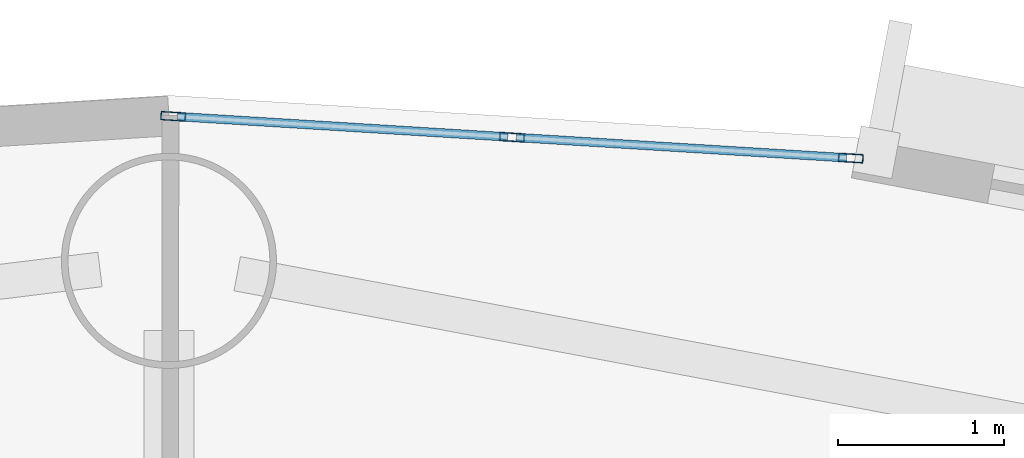
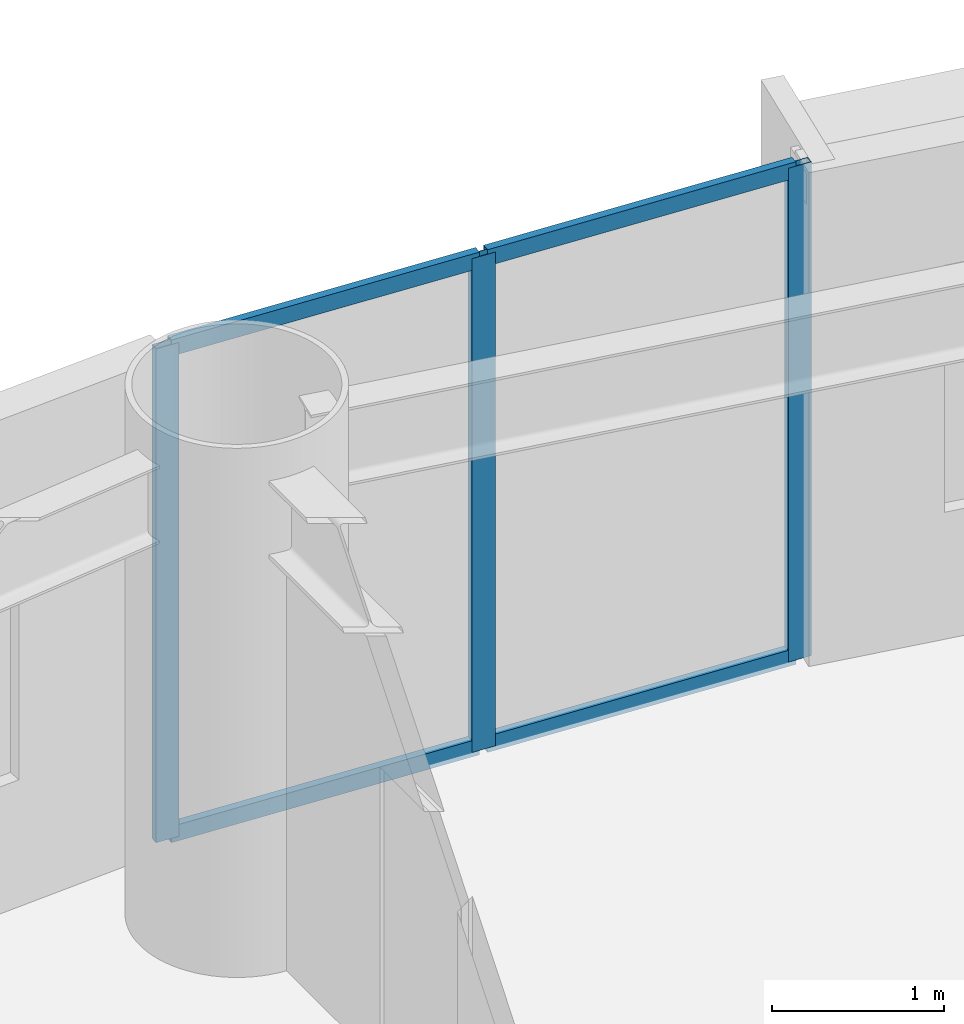
# One storey, part 4 of 19: 7 members, 1 element without a shape of its own.
"""IFC4 building model written with IfcOpenShell, lengths in metres."""

from ifc_helpers import new_model, si_unit, direction, frame, origin, origin_2d, place, context, subcontext, project, spatial, hollow_rectangle, extrude, source, transform, mapped, material, layer, layer_set, material_profile, profile_set, type_object, element, aggregate, save


model = new_model("IFC4")

# Units and contexts
model_context = context("Model", 3, precision=1e-05, world=origin(), true_north=direction((0.0, 1.0)))
body_context = subcontext(model_context, "Body", "Model", "MODEL_VIEW")
ifc_project = project(units=[si_unit("LENGTHUNIT", "METRE"), si_unit("AREAUNIT", "SQUARE_METRE"), si_unit("VOLUMEUNIT", "CUBIC_METRE"), si_unit("PLANEANGLEUNIT", "RADIAN"), si_unit("MASSUNIT", "GRAM", prefix="KILO")], contexts=[model_context])

# Site, building, storey
site_placement = place(None, origin())
site = spatial("IfcSite", under=ifc_project, at=site_placement, CompositionType="ELEMENT")
building_placement = place(site_placement, origin())
building = spatial("IfcBuilding", under=site, at=building_placement, Name="Linh Dai School and Residence Tower", CompositionType="ELEMENT")
storey_placement = place(building_placement, frame((0.0, 0.0, 174.89990234375)))
storey = spatial("IfcBuildingStorey", under=building, at=storey_placement, Name="L42", CompositionType="ELEMENT", Elevation=174.89990234375)

# Curtain wall, members
ifc_material_1 = material(Name="Aluminium Anodised Curtain Wall", Category="aluminium")
ifc_layer = layer(ifc_material_1, 0.14990234375)
ifc_layer_set = layer_set([ifc_layer], Name="Aluminium Anodised Curtain Wall")
curtain_wall_type = type_object("IfcCurtainWallType", Name="CW-SYS-4", PredefinedType="USERDEFINED", material=ifc_layer_set)
curtain_wall_placement = place(storey_placement, origin())
curtain_wall = element("IfcCurtainWall", 1, at=curtain_wall_placement, inside=storey, type_object=curtain_wall_type, Name="L42 CW4 Curtain Wall 10", ObjectType="RIBBON CURTAIN WALL", PredefinedType="USERDEFINED")
ifc_material_2 = material(Name="Aluminium Alloy 6063-T6", Category="aluminium")
ifc_material_profile_1 = material_profile(ifc_material_2, hollow_rectangle(XDim=0.052001953125, YDim=0.14990234375, WallThickness=0.00390625, at=origin_2d()), Name="RHS 150x52x4")
ifc_profile_set_1 = profile_set([ifc_material_profile_1], Name="Aluminium Alloy 6063-T6")
member_type_1 = type_object("IfcMemberType", Name="CW-SYS-4-MUL", PredefinedType="MULLION", material=ifc_profile_set_1)
shared_shape_1 = source(origin(), body_context, "Body", "SweptSolid", [
    extrude(hollow_rectangle(XDim=0.052001953125, YDim=0.14990234375, WallThickness=0.00390625, at=origin_2d()), origin(), (0.0, 0.0, 1.0), 3.5),
])
member_1_placement = place(storey_placement, frame((36.02587890625, 47.703369140625, 0.0), z_axis=(0.0, 0.0, 1.0), x_axis=(0.061512376467, 0.99810632076, 0.0)))
member_1 = element("IfcMember", 2, at=member_1_placement, type_object=member_type_1, Name="CW4 mullion 1", PredefinedType="MULLION", context=body_context, shape_type="MappedRepresentation", body=[
    mapped(shared_shape_1, transform((0.0, 0.0, 0.0), x_axis=(1.0, 0.0, 0.0), y_axis=(0.0, 1.0, 0.0), z_axis=(0.0, 0.0, 1.0), scale=1.0)),
])
member_2_placement = place(storey_placement, frame((38.072998046875, 47.5771484375, 0.0), z_axis=(0.0, 0.0, 1.0), x_axis=(0.061512376467, 0.99810632076, 0.0)))
member_2 = element("IfcMember", 3, at=member_2_placement, type_object=member_type_1, Name="CW4 mullion 2", PredefinedType="MULLION", context=body_context, shape_type="MappedRepresentation", body=[
    mapped(shared_shape_1, transform((0.0, 0.0, 0.0), x_axis=(1.0, 0.0, 0.0), y_axis=(0.0, 1.0, 0.0), z_axis=(0.0, 0.0, 1.0), scale=1.0)),
])
member_3_placement = place(storey_placement, frame((40.119873046875, 47.451171875, 0.0), z_axis=(0.0, 0.0, 1.0), x_axis=(0.061512376467, 0.99810632076, 0.0)))
member_3 = element("IfcMember", 4, at=member_3_placement, type_object=member_type_1, Name="CW4 mullion 3", PredefinedType="MULLION", context=body_context, shape_type="MappedRepresentation", body=[
    mapped(shared_shape_1, transform((0.0, 0.0, 0.0), x_axis=(1.0, 0.0, 0.0), y_axis=(0.0, 1.0, 0.0), z_axis=(0.0, 0.0, 1.0), scale=1.0)),
])
ifc_material_profile_2 = material_profile(ifc_material_2, hollow_rectangle(XDim=0.052001953125, YDim=0.114990234375, WallThickness=0.00390625, at=origin_2d()), Name="RHS 115x52x4")
ifc_profile_set_2 = profile_set([ifc_material_profile_2], Name="Aluminium Alloy 6063-T6")
member_type_2 = type_object("IfcMemberType", Name="CW-SYS-4-TRN", PredefinedType="USERDEFINED", material=ifc_profile_set_2)
shared_shape_2 = source(origin(), body_context, "Body", "SweptSolid", [
    extrude(hollow_rectangle(XDim=0.052001953125, YDim=0.114990234375, WallThickness=0.00390625, at=origin_2d()), origin(), (0.0, 0.0, 1.0), 1.998779296875),
])
member_4_placement = place(storey_placement, frame((36.052001953125, 47.701904296875, 0.026123046875), z_axis=(0.998103103786, -0.061564553214, 0.0), x_axis=(0.061564553214, 0.998103103786, 0.0)))
member_4 = element("IfcMember", 5, at=member_4_placement, type_object=member_type_2, Name="CW4 transom 1.1", ObjectType="TRANSOM", PredefinedType="USERDEFINED", context=body_context, shape_type="MappedRepresentation", body=[
    mapped(shared_shape_2, transform((0.0, 0.0, 0.0), x_axis=(1.0, 0.0, 0.0), y_axis=(0.0, 1.0, 0.0), z_axis=(0.0, 0.0, 1.0), scale=1.0)),
])
member_5_placement = place(storey_placement, frame((36.052001953125, 47.701904296875, 3.47412109375), z_axis=(0.998103103786, -0.061564553214, 0.0), x_axis=(0.061564553214, 0.998103103786, 0.0)))
member_5 = element("IfcMember", 6, at=member_5_placement, type_object=member_type_2, Name="CW4 transom 1.2", ObjectType="TRANSOM", PredefinedType="USERDEFINED", context=body_context, shape_type="MappedRepresentation", body=[
    mapped(shared_shape_2, transform((0.0, 0.0, 0.0), x_axis=(1.0, 0.0, 0.0), y_axis=(0.0, 1.0, 0.0), z_axis=(0.0, 0.0, 1.0), scale=1.0)),
])
member_6_placement = place(storey_placement, frame((38.098876953125, 47.57568359375, 0.026123046875), z_axis=(0.998103103786, -0.061564553214, 0.0), x_axis=(0.061564553214, 0.998103103786, 0.0)))
member_6 = element("IfcMember", 7, at=member_6_placement, type_object=member_type_2, Name="CW4 transom 2.1", ObjectType="TRANSOM", PredefinedType="USERDEFINED", context=body_context, shape_type="MappedRepresentation", body=[
    mapped(shared_shape_2, transform((0.0, 0.0, 0.0), x_axis=(1.0, 0.0, 0.0), y_axis=(0.0, 1.0, 0.0), z_axis=(0.0, 0.0, 1.0), scale=1.0)),
])
member_7_placement = place(storey_placement, frame((38.098876953125, 47.57568359375, 3.47412109375), z_axis=(0.998103103786, -0.061564553214, 0.0), x_axis=(0.061564553214, 0.998103103786, 0.0)))
member_7 = element("IfcMember", 8, at=member_7_placement, type_object=member_type_2, Name="CW4 transom 2.2", ObjectType="TRANSOM", PredefinedType="USERDEFINED", context=body_context, shape_type="MappedRepresentation", body=[
    mapped(shared_shape_2, transform((0.0, 0.0, 0.0), x_axis=(1.0, 0.0, 0.0), y_axis=(0.0, 1.0, 0.0), z_axis=(0.0, 0.0, 1.0), scale=1.0)),
])
aggregate(curtain_wall, [member_1, member_2, member_3, member_4, member_5, member_6, member_7])

save(model, "model.ifc")
